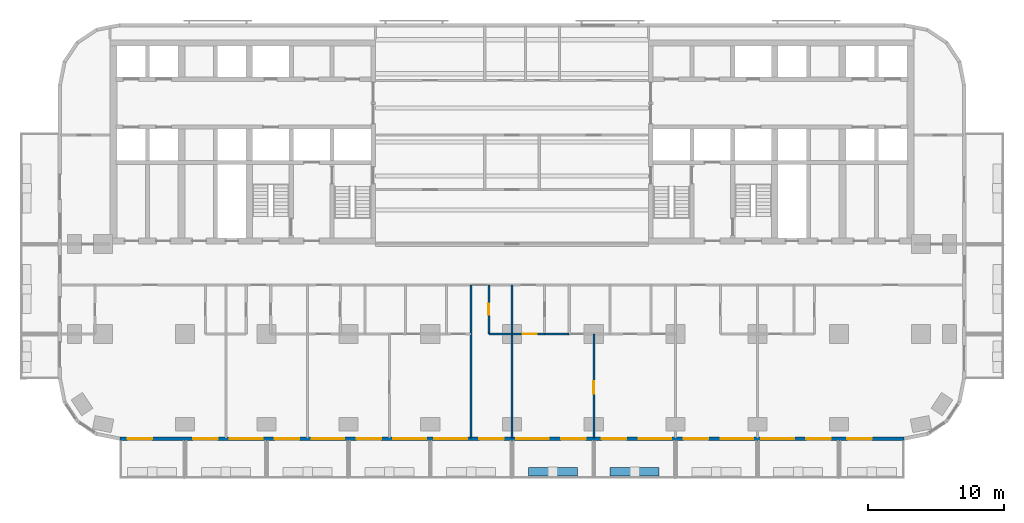
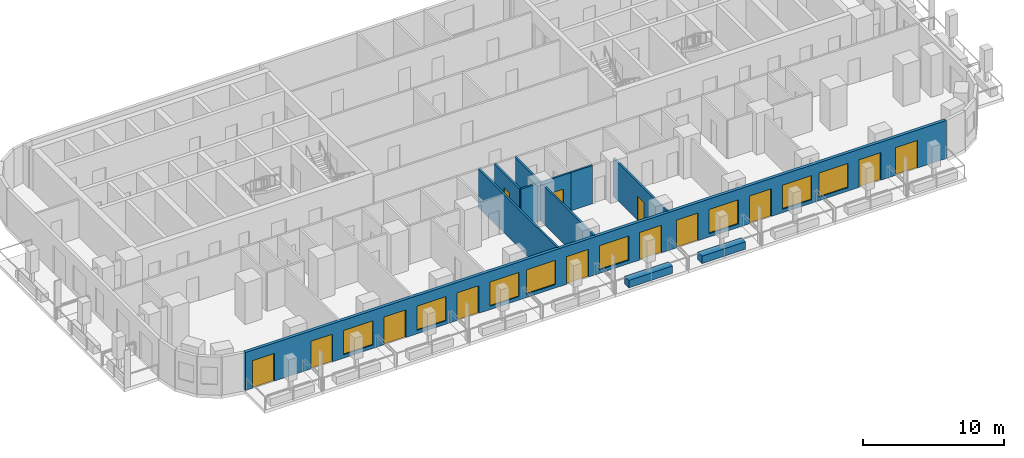
# One storey, part 5 of 14: 13 doors, 11 walls, 8 windows, 21 openings.
"""IFC4 building model written with IfcOpenShell, lengths in metres."""

import ifcopenshell
import ifcopenshell.guid

model = None  # the IFC model being written
_history = None  # IfcOwnerHistory: only IFC2X3 demands one
_inside = {}  # id of a spatial element -> (the spatial element, [elements in it])
_under = {}  # id of a project, library or spatial element -> (it, [spatial elements below it])
_declared = {}  # id of a project -> (the project, [libraries it declares])
_typed = {}  # id of a type object -> (the type object, [elements of that type])
_made_of = {}  # id of a material, layer set ... -> (it, [elements and type objects made of it])


def new_model(schema):
    """Start an empty IFC model of exactly this schema.

    Asked for "IFC4X3", IfcOpenShell would pick the latest addendum, in which some entities
    have other attributes; the version numbers below select the first issue.
    IFC2X3 requires an IfcOwnerHistory on every rooted entity: one is made here for all.
    """
    global model, _history
    if schema == "IFC4X3":
        model = ifcopenshell.file(schema_version=(4, 3, 0, 0))
    else:
        model = ifcopenshell.file(schema=schema)
    _inside.clear()
    _under.clear()
    _declared.clear()
    _typed.clear()
    _made_of.clear()
    _history = None
    if model.schema == "IFC2X3":
        org = make("IfcOrganization", Name="unknown")
        user = make(
            "IfcPersonAndOrganization",
            ThePerson=make("IfcPerson", FamilyName="unknown"),
            TheOrganization=org,
        )
        app = make(
            "IfcApplication",
            ApplicationDeveloper=org,
            Version="unknown",
            ApplicationFullName="unknown",
            ApplicationIdentifier="unknown",
        )
        _history = make(
            "IfcOwnerHistory",
            OwningUser=user,
            OwningApplication=app,
            ChangeAction="ADDED",
            CreationDate=0,
        )
    return model


def make(cls, **values):
    """One entity of the class cls with the attributes given. An attribute that is None is left unset."""
    return model.create_entity(
        cls, **{name: value for name, value in values.items() if value is not None}
    )


def rooted(cls, **values):
    """An entity with a GlobalId (a new one), such as an element, a storey or a relation."""
    return make(cls, GlobalId=ifcopenshell.guid.new(), OwnerHistory=_history, **values)


def si_unit(unit_type, name, prefix=None):
    """IfcSIUnit, for example si_unit("LENGTHUNIT", "METRE", prefix="MILLI")."""
    return make("IfcSIUnit", UnitType=unit_type, Prefix=prefix, Name=name)


def assignment(units):
    """IfcUnitAssignment: the units of a project."""
    return None if units is None else make("IfcUnitAssignment", Units=units)


def point(xyz):
    """IfcCartesianPoint."""
    return None if xyz is None else make("IfcCartesianPoint", Coordinates=xyz)


def direction(xyz):
    """IfcDirection."""
    return None if xyz is None else make("IfcDirection", DirectionRatios=xyz)


def frame(location, z_axis=None, x_axis=None):
    """IfcAxis2Placement3D, a coordinate frame: its origin and axes. An axis left out is left unset."""
    return make(
        "IfcAxis2Placement3D",
        Location=point(location),
        Axis=direction(z_axis),
        RefDirection=direction(x_axis),
    )


def frame_2d(location, x_axis=None):
    """IfcAxis2Placement2D, a coordinate frame in the plane: its origin and x axis."""
    return make(
        "IfcAxis2Placement2D", Location=point(location), RefDirection=direction(x_axis)
    )


def origin():
    """The frame at (0, 0, 0) with its axes left unset."""
    return frame((0.0, 0.0, 0.0))


def place(relative_to, where):
    """IfcLocalPlacement: puts the frame where relative to a parent placement (None: the world)."""
    return make(
        "IfcLocalPlacement", PlacementRelTo=relative_to, RelativePlacement=where
    )


def context(
    kind, dimensions, precision=None, world=None, true_north=None, identifier=None
):
    """IfcGeometricRepresentationContext, for example the 3D "Model" context."""
    return make(
        "IfcGeometricRepresentationContext",
        ContextIdentifier=identifier,
        ContextType=kind,
        CoordinateSpaceDimension=dimensions,
        Precision=precision,
        WorldCoordinateSystem=world,
        TrueNorth=true_north,
    )


def subcontext(parent, identifier, kind, view, scale=None):
    """IfcGeometricRepresentationSubContext, for example "Body" below "Model"."""
    return make(
        "IfcGeometricRepresentationSubContext",
        ContextIdentifier=identifier,
        ContextType=kind,
        ParentContext=parent,
        TargetScale=scale,
        TargetView=view,
    )


def project(units=None, contexts=None):
    """IfcProject with its units and contexts."""
    return rooted(
        "IfcProject",
        Name="project",
        RepresentationContexts=contexts,
        UnitsInContext=assignment(units),
    )


def spatial(cls, under=None, at=None, **own):
    """A site, building, storey or space (cls), placed at a placement, below another one or the project."""
    s = rooted(cls, ObjectPlacement=at, **own)
    if under is not None:
        _under.setdefault(under.id(), (under, []))[1].append(s)
    return s


def profile(cls, at=None, kind="AREA", **sizes):
    """A parametric profile (cls). Its sizes go by their IFC names, for example OverallWidth=200.0."""
    return make(cls, ProfileType=kind, Position=at, **sizes)


def rectangle(**sizes):
    """IfcRectangleProfileDef."""
    return profile("IfcRectangleProfileDef", **sizes)


def extrude(swept, where, along, depth):
    """IfcExtrudedAreaSolid: the profile swept, set in the frame where, extruded along a direction by depth."""
    return make(
        "IfcExtrudedAreaSolid",
        SweptArea=swept,
        Position=where,
        ExtrudedDirection=direction(along),
        Depth=depth,
    )


def shape(context_of_items, identifier, shape_type, items):
    """IfcShapeRepresentation: the items that make up one representation, for example the "Body"."""
    return make(
        "IfcShapeRepresentation",
        ContextOfItems=context_of_items,
        RepresentationIdentifier=identifier,
        RepresentationType=shape_type,
        Items=items,
    )


def material(Name=None, Category=None):
    """IfcMaterial."""
    return make("IfcMaterial", Name=Name, Category=Category)


def layer(
    of_material, thickness, ventilated=None, Name=None, Category=None, Priority=None
):
    """IfcMaterialLayer: one layer of a wall or slab, of a material (None: an air gap)."""
    return make(
        "IfcMaterialLayer",
        Material=of_material,
        LayerThickness=thickness,
        IsVentilated=ventilated,
        Name=Name,
        Category=Category,
        Priority=Priority,
    )


def layer_set(layers, Name=None):
    """IfcMaterialLayerSet."""
    return make("IfcMaterialLayerSet", MaterialLayers=layers, LayerSetName=Name)


def made_of(thing, what):
    """Note that an element or type object is made of a material, layer set ...; save() writes the relation."""
    if what is not None:
        _made_of.setdefault(what.id(), (what, []))[1].append(thing)
    return thing


def type_object(cls, material=None, **own):
    """A type object (cls), such as IfcWallType, which elements share."""
    return made_of(rooted(cls, **own), material)


def element(
    cls,
    number,
    at=None,
    inside=None,
    cuts=None,
    type_object=None,
    material=None,
    context=None,
    identifier="Body",
    shape_type=None,
    held_by="IfcProductDefinitionShape",
    body=None,
    shapes=None,
    **own,
):
    """One element of the class cls, such as IfcWall. Its Tag is "e" and its number.

    at: its placement. inside: the storey or other place that contains it. cuts: it is an
    opening in that element (IfcRelVoidsElement). A single representation is given by context,
    identifier, shape_type and body (its items); several are given by shapes. held_by: the class
    of the entity that holds the representations. save() writes the other relations.
    """
    e = rooted(cls, Tag="e%d" % number, ObjectPlacement=at, **own)
    if body is not None:
        shapes = [shape(context, identifier, shape_type, body)]
    if shapes is not None:
        e.Representation = make(held_by, Representations=shapes)
    if inside is not None:
        _inside.setdefault(inside.id(), (inside, []))[1].append(e)
    if cuts is not None:
        rooted(
            "IfcRelVoidsElement", RelatingBuildingElement=cuts, RelatedOpeningElement=e
        )
    if type_object is not None:
        _typed.setdefault(type_object.id(), (type_object, []))[1].append(e)
    return made_of(e, material)


def fill(opening, filler):
    """IfcRelFillsElement: the door or window that sits in an opening."""
    return rooted(
        "IfcRelFillsElement",
        RelatingOpeningElement=opening,
        RelatedBuildingElement=filler,
    )


def aggregate(whole, parts):
    """IfcRelAggregates: a whole, such as a stair, and the parts it consists of."""
    return rooted("IfcRelAggregates", RelatingObject=whole, RelatedObjects=parts)


def save(model, path):
    """Write the relations noted so far, then the file.

    IfcRelAggregates (storeys below a building ...), IfcRelContainedInSpatialStructure (elements
    in a storey), IfcRelDefinesByType, IfcRelAssociatesMaterial and IfcRelDeclares: one each for
    every whole, place, type object, material and project.
    """
    for whole, parts in _under.values():
        aggregate(whole, parts)
    for where, things in _inside.values():
        rooted(
            "IfcRelContainedInSpatialStructure",
            RelatedElements=things,
            RelatingStructure=where,
        )
    for kind, things in _typed.values():
        rooted("IfcRelDefinesByType", RelatedObjects=things, RelatingType=kind)
    for what, things in _made_of.values():
        rooted("IfcRelAssociatesMaterial", RelatedObjects=things, RelatingMaterial=what)
    for by, libraries in _declared.values():
        rooted("IfcRelDeclares", RelatingContext=by, RelatedDefinitions=libraries)
    model.write(path)


model = new_model("IFC4")

# Units and contexts
model_context = context("Model", 3, precision=1e-05, world=origin(), true_north=direction((0.0, 1.0)))
body_context = subcontext(model_context, "Body", "Model", "MODEL_VIEW")
ifc_project = project(units=[si_unit("LENGTHUNIT", "METRE"), si_unit("AREAUNIT", "SQUARE_METRE"), si_unit("VOLUMEUNIT", "CUBIC_METRE"), si_unit("PLANEANGLEUNIT", "RADIAN"), si_unit("MASSUNIT", "GRAM", prefix="KILO")], contexts=[model_context])

# Site, building, storey
site_placement = place(None, origin())
site = spatial("IfcSite", under=ifc_project, at=site_placement, CompositionType="ELEMENT")
building_placement = place(site_placement, origin())
building = spatial("IfcBuilding", under=site, at=building_placement, Name="Torana Hotel and Residences", CompositionType="ELEMENT")
storey_placement = place(building_placement, frame((0.0, 0.0, 103.199951171875)))
storey = spatial("IfcBuildingStorey", under=building, at=storey_placement, Name="L26", CompositionType="ELEMENT", Elevation=103.199951171875)

# Wall, openings, doors, windows
ifc_material_1 = material(Name="Black aluminium composite panel", Category="aluminium")
ifc_layer_1 = layer(ifc_material_1, 0.00390625, Name="Cladding", Category="cladding")
ifc_material_2 = material(Name="Ventilated air cavity")
ifc_layer_2 = layer(ifc_material_2, 0.0400390625, Name="Ventilated cavity", Category="cavity")
ifc_material_3 = material(Name="Mineral wool insulation")
ifc_layer_3 = layer(ifc_material_3, 0.090087890625, Name="Insulation", Category="insulation")
ifc_material_4 = material(Name="Steel S280GD", Category="steel")
ifc_layer_4 = layer(ifc_material_4, 0.092041015625, Name="Steel stud frame", Category="structure")
ifc_material_5 = material(Name="Fire rated plasterboard")
ifc_layer_5 = layer(ifc_material_5, 0.011962890625, Name="Inner board", Category="finish")
ifc_layer_6 = layer(ifc_material_5, 0.011962890625, Name="Second board", Category="finish")
ifc_layer_set_1 = layer_set([ifc_layer_1, ifc_layer_2, ifc_layer_3, ifc_layer_4, ifc_layer_5, ifc_layer_6], Name="EW1 EXTERNAL WALL BLACK METAL CLAD 250")
wall_type_1 = type_object("IfcWallType", Name="EW1 EXTERNAL WALL BLACK METAL CLAD 250", PredefinedType="SOLIDWALL", material=ifc_layer_set_1)
wall_1_placement = place(storey_placement, frame((-28.775390625, -29.27490234375, 0.0), z_axis=(0.0, 0.0, 1.0), x_axis=(1.0, 0.0, 0.0)))
wall_1 = element("IfcWall", 1, at=wall_1_placement, inside=storey, type_object=wall_type_1, Name="External wall L26 e0.14", PredefinedType="SOLIDWALL", context=body_context, shape_type="SweptSolid", body=[
    extrude(rectangle(XDim=57.55078125, YDim=0.25, at=frame_2d((28.775390625, 0.0))), origin(), (0.0, 0.0, 1.0), 3.300048828125),
])
opening_1_placement = place(wall_1_placement, frame((0.575439453125, 0.0, 0.0)))
opening_1 = element("IfcOpeningElement", 2, at=opening_1_placement, cuts=wall_1, Name="Opening L26-E01", PredefinedType="OPENING", context=body_context, shape_type="SweptSolid", body=[
    extrude(rectangle(XDim=1.800048828125, YDim=2.39990234375, at=frame_2d((0.89990234375, 1.199951171875))), frame((0.0, 0.135009765625, 0.0), z_axis=(0.0, -1.0, 0.0), x_axis=(1.0, 0.0, 0.0)), (0.0, 0.0, 1.0), 0.27001953125),
])
opening_2_placement = place(wall_1_placement, frame((5.37548828125, 0.0, 0.0)))
opening_2 = element("IfcOpeningElement", 3, at=opening_2_placement, cuts=wall_1, Name="Opening L26-E02", PredefinedType="OPENING", context=body_context, shape_type="SweptSolid", body=[
    extrude(rectangle(XDim=1.800048828125, YDim=2.39990234375, at=frame_2d((0.89990234375, 1.199951171875))), frame((0.0, 0.135009765625, 0.0), z_axis=(0.0, -1.0, 0.0), x_axis=(1.0, 0.0, 0.0)), (0.0, 0.0, 1.0), 0.27001953125),
])
opening_3_placement = place(wall_1_placement, frame((8.075439453125, 0.0, 0.300048828125)))
opening_3 = element("IfcOpeningElement", 4, at=opening_3_placement, cuts=wall_1, Name="Opening W1", PredefinedType="OPENING", context=body_context, shape_type="SweptSolid", body=[
    extrude(rectangle(XDim=2.39990234375, YDim=2.10009765625, at=frame_2d((1.199951171875, 1.050048828125))), frame((0.0, 0.135009765625, 0.0), z_axis=(0.0, -1.0, 0.0), x_axis=(1.0, 0.0, 0.0)), (0.0, 0.0, 1.0), 0.27001953125),
])
opening_4_placement = place(wall_1_placement, frame((11.37548828125, 0.0, 0.0)))
opening_4 = element("IfcOpeningElement", 5, at=opening_4_placement, cuts=wall_1, Name="Opening L26-E03", PredefinedType="OPENING", context=body_context, shape_type="SweptSolid", body=[
    extrude(rectangle(XDim=1.800048828125, YDim=2.39990234375, at=frame_2d((0.89990234375, 1.199951171875))), frame((0.0, 0.135009765625, 0.0), z_axis=(0.0, -1.0, 0.0), x_axis=(1.0, 0.0, 0.0)), (0.0, 0.0, 1.0), 0.27001953125),
])
opening_5_placement = place(wall_1_placement, frame((14.075439453125, 0.0, 0.300048828125)))
opening_5 = element("IfcOpeningElement", 6, at=opening_5_placement, cuts=wall_1, Name="Opening W1", PredefinedType="OPENING", context=body_context, shape_type="SweptSolid", body=[
    extrude(rectangle(XDim=2.39990234375, YDim=2.10009765625, at=frame_2d((1.199951171875, 1.050048828125))), frame((0.0, 0.135009765625, 0.0), z_axis=(0.0, -1.0, 0.0), x_axis=(1.0, 0.0, 0.0)), (0.0, 0.0, 1.0), 0.27001953125),
])
opening_6_placement = place(wall_1_placement, frame((17.37548828125, 0.0, 0.0)))
opening_6 = element("IfcOpeningElement", 7, at=opening_6_placement, cuts=wall_1, Name="Opening L26-E04", PredefinedType="OPENING", context=body_context, shape_type="SweptSolid", body=[
    extrude(rectangle(XDim=1.800048828125, YDim=2.39990234375, at=frame_2d((0.89990234375, 1.199951171875))), frame((0.0, 0.135009765625, 0.0), z_axis=(0.0, -1.0, 0.0), x_axis=(1.0, 0.0, 0.0)), (0.0, 0.0, 1.0), 0.27001953125),
])
opening_7_placement = place(wall_1_placement, frame((20.075439453125, 0.0, 0.300048828125)))
opening_7 = element("IfcOpeningElement", 8, at=opening_7_placement, cuts=wall_1, Name="Opening W1", PredefinedType="OPENING", context=body_context, shape_type="SweptSolid", body=[
    extrude(rectangle(XDim=2.39990234375, YDim=2.10009765625, at=frame_2d((1.199951171875, 1.050048828125))), frame((0.0, 0.135009765625, 0.0), z_axis=(0.0, -1.0, 0.0), x_axis=(1.0, 0.0, 0.0)), (0.0, 0.0, 1.0), 0.27001953125),
])
opening_8_placement = place(wall_1_placement, frame((23.075439453125, 0.0, 0.300048828125)))
opening_8 = element("IfcOpeningElement", 9, at=opening_8_placement, cuts=wall_1, Name="Opening W1", PredefinedType="OPENING", context=body_context, shape_type="SweptSolid", body=[
    extrude(rectangle(XDim=2.39990234375, YDim=2.10009765625, at=frame_2d((1.199951171875, 1.050048828125))), frame((0.0, 0.135009765625, 0.0), z_axis=(0.0, -1.0, 0.0), x_axis=(1.0, 0.0, 0.0)), (0.0, 0.0, 1.0), 0.27001953125),
])
opening_9_placement = place(wall_1_placement, frame((26.37548828125, 0.0, 0.0)))
opening_9 = element("IfcOpeningElement", 10, at=opening_9_placement, cuts=wall_1, Name="Opening L26-E05", PredefinedType="OPENING", context=body_context, shape_type="SweptSolid", body=[
    extrude(rectangle(XDim=1.800048828125, YDim=2.39990234375, at=frame_2d((0.89990234375, 1.199951171875))), frame((0.0, 0.135009765625, 0.0), z_axis=(0.0, -1.0, 0.0), x_axis=(1.0, 0.0, 0.0)), (0.0, 0.0, 1.0), 0.27001953125),
])
opening_10_placement = place(wall_1_placement, frame((29.075439453125, 0.0, 0.300048828125)))
opening_10 = element("IfcOpeningElement", 11, at=opening_10_placement, cuts=wall_1, Name="Opening W1", PredefinedType="OPENING", context=body_context, shape_type="SweptSolid", body=[
    extrude(rectangle(XDim=2.39990234375, YDim=2.10009765625, at=frame_2d((1.199951171875, 1.050048828125))), frame((0.0, 0.135009765625, 0.0), z_axis=(0.0, -1.0, 0.0), x_axis=(1.0, 0.0, 0.0)), (0.0, 0.0, 1.0), 0.27001953125),
])
opening_11_placement = place(wall_1_placement, frame((32.37548828125, 0.0, 0.0)))
opening_11 = element("IfcOpeningElement", 12, at=opening_11_placement, cuts=wall_1, Name="Opening L26-E06", PredefinedType="OPENING", context=body_context, shape_type="SweptSolid", body=[
    extrude(rectangle(XDim=1.800048828125, YDim=2.39990234375, at=frame_2d((0.89990234375, 1.199951171875))), frame((0.0, 0.135009765625, 0.0), z_axis=(0.0, -1.0, 0.0), x_axis=(1.0, 0.0, 0.0)), (0.0, 0.0, 1.0), 0.27001953125),
])
opening_12_placement = place(wall_1_placement, frame((35.37548828125, 0.0, 0.0)))
opening_12 = element("IfcOpeningElement", 13, at=opening_12_placement, cuts=wall_1, Name="Opening L26-E07", PredefinedType="OPENING", context=body_context, shape_type="SweptSolid", body=[
    extrude(rectangle(XDim=1.800048828125, YDim=2.39990234375, at=frame_2d((0.89990234375, 1.199951171875))), frame((0.0, 0.135009765625, 0.0), z_axis=(0.0, -1.0, 0.0), x_axis=(1.0, 0.0, 0.0)), (0.0, 0.0, 1.0), 0.27001953125),
])
opening_13_placement = place(wall_1_placement, frame((38.075439453125, 0.0, 0.300048828125)))
opening_13 = element("IfcOpeningElement", 14, at=opening_13_placement, cuts=wall_1, Name="Opening W1", PredefinedType="OPENING", context=body_context, shape_type="SweptSolid", body=[
    extrude(rectangle(XDim=2.39990234375, YDim=2.10009765625, at=frame_2d((1.199951171875, 1.050048828125))), frame((0.0, 0.135009765625, 0.0), z_axis=(0.0, -1.0, 0.0), x_axis=(1.0, 0.0, 0.0)), (0.0, 0.0, 1.0), 0.27001953125),
])
opening_14_placement = place(wall_1_placement, frame((41.37548828125, 0.0, 0.0)))
opening_14 = element("IfcOpeningElement", 15, at=opening_14_placement, cuts=wall_1, Name="Opening L26-E08", PredefinedType="OPENING", context=body_context, shape_type="SweptSolid", body=[
    extrude(rectangle(XDim=1.800048828125, YDim=2.39990234375, at=frame_2d((0.89990234375, 1.199951171875))), frame((0.0, 0.135009765625, 0.0), z_axis=(0.0, -1.0, 0.0), x_axis=(1.0, 0.0, 0.0)), (0.0, 0.0, 1.0), 0.27001953125),
])
opening_15_placement = place(wall_1_placement, frame((44.075439453125, 0.0, 0.300048828125)))
opening_15 = element("IfcOpeningElement", 16, at=opening_15_placement, cuts=wall_1, Name="Opening W1", PredefinedType="OPENING", context=body_context, shape_type="SweptSolid", body=[
    extrude(rectangle(XDim=2.39990234375, YDim=2.10009765625, at=frame_2d((1.199951171875, 1.050048828125))), frame((0.0, 0.135009765625, 0.0), z_axis=(0.0, -1.0, 0.0), x_axis=(1.0, 0.0, 0.0)), (0.0, 0.0, 1.0), 0.27001953125),
])
opening_16_placement = place(wall_1_placement, frame((47.075439453125, 0.0, 0.300048828125)))
opening_16 = element("IfcOpeningElement", 17, at=opening_16_placement, cuts=wall_1, Name="Opening W1", PredefinedType="OPENING", context=body_context, shape_type="SweptSolid", body=[
    extrude(rectangle(XDim=2.39990234375, YDim=2.10009765625, at=frame_2d((1.199951171875, 1.050048828125))), frame((0.0, 0.135009765625, 0.0), z_axis=(0.0, -1.0, 0.0), x_axis=(1.0, 0.0, 0.0)), (0.0, 0.0, 1.0), 0.27001953125),
])
opening_17_placement = place(wall_1_placement, frame((50.37548828125, 0.0, 0.0)))
opening_17 = element("IfcOpeningElement", 18, at=opening_17_placement, cuts=wall_1, Name="Opening L26-E09", PredefinedType="OPENING", context=body_context, shape_type="SweptSolid", body=[
    extrude(rectangle(XDim=1.800048828125, YDim=2.39990234375, at=frame_2d((0.89990234375, 1.199951171875))), frame((0.0, 0.135009765625, 0.0), z_axis=(0.0, -1.0, 0.0), x_axis=(1.0, 0.0, 0.0)), (0.0, 0.0, 1.0), 0.27001953125),
])
opening_18_placement = place(wall_1_placement, frame((53.37548828125, 0.0, 0.0)))
opening_18 = element("IfcOpeningElement", 19, at=opening_18_placement, cuts=wall_1, Name="Opening L26-E10", PredefinedType="OPENING", context=body_context, shape_type="SweptSolid", body=[
    extrude(rectangle(XDim=1.800048828125, YDim=2.39990234375, at=frame_2d((0.89990234375, 1.199951171875))), frame((0.0, 0.135009765625, 0.0), z_axis=(0.0, -1.0, 0.0), x_axis=(1.0, 0.0, 0.0)), (0.0, 0.0, 1.0), 0.27001953125),
])
ifc_material_6 = material(Name="Dark glass in black aluminium frame", Category="aluminium")
door_type_1 = type_object("IfcDoorType", Name="DB1 BALCONY DOOR 1800x2400", OperationType="DOUBLE_DOOR_SINGLE_SWING", PredefinedType="DOOR", material=ifc_material_6)
door_1_placement = place(opening_1_placement, origin())
door_1 = element("IfcDoor", 20, at=door_1_placement, inside=storey, type_object=door_type_1, Name="Balcony door L26", OperationType="DOUBLE_DOOR_SINGLE_SWING", OverallHeight=2.39990234375, OverallWidth=1.800048828125, PredefinedType="DOOR", context=body_context, shape_type="SweptSolid", body=[
    extrude(rectangle(XDim=1.800048828125, YDim=2.39990234375, at=frame_2d((0.89990234375, 1.199951171875))), frame((0.0, 0.02490234375, 0.0), z_axis=(0.0, -1.0, 0.0), x_axis=(1.0, 0.0, 0.0)), (0.0, 0.0, 1.0), 0.050048828125),
])
fill(opening_1, door_1)
door_2_placement = place(opening_2_placement, frame((0.89990234375, 0.0, 0.0), z_axis=(0.0, 0.0, 1.0), x_axis=(-1.0, 0.0, 0.0)))
door_2 = element("IfcDoor", 21, at=door_2_placement, inside=storey, type_object=door_type_1, Name="Balcony door L26", OperationType="DOUBLE_DOOR_SINGLE_SWING", OverallHeight=2.39990234375, OverallWidth=1.800048828125, PredefinedType="DOOR", context=body_context, shape_type="SweptSolid", body=[
    extrude(rectangle(XDim=1.800048828125, YDim=2.39990234375, at=frame_2d((0.0, 1.199951171875))), frame((0.0, -0.02490234375, 0.0), z_axis=(0.0, 1.0, 0.0), x_axis=(-1.0, 0.0, 0.0)), (0.0, 0.0, 1.0), 0.050048828125),
])
fill(opening_2, door_2)
door_3_placement = place(opening_4_placement, frame((0.89990234375, 0.0, 0.0), z_axis=(0.0, 0.0, 1.0), x_axis=(-1.0, 0.0, 0.0)))
door_3 = element("IfcDoor", 22, at=door_3_placement, inside=storey, type_object=door_type_1, Name="Balcony door L26", OperationType="DOUBLE_DOOR_SINGLE_SWING", OverallHeight=2.39990234375, OverallWidth=1.800048828125, PredefinedType="DOOR", context=body_context, shape_type="SweptSolid", body=[
    extrude(rectangle(XDim=1.800048828125, YDim=2.39990234375, at=frame_2d((0.0, 1.199951171875))), frame((0.0, -0.02490234375, 0.0), z_axis=(0.0, 1.0, 0.0), x_axis=(-1.0, 0.0, 0.0)), (0.0, 0.0, 1.0), 0.050048828125),
])
fill(opening_4, door_3)
door_4_placement = place(opening_6_placement, frame((0.89990234375, 0.0, 0.0), z_axis=(0.0, 0.0, 1.0), x_axis=(-1.0, 0.0, 0.0)))
door_4 = element("IfcDoor", 23, at=door_4_placement, inside=storey, type_object=door_type_1, Name="Balcony door L26", OperationType="DOUBLE_DOOR_SINGLE_SWING", OverallHeight=2.39990234375, OverallWidth=1.800048828125, PredefinedType="DOOR", context=body_context, shape_type="SweptSolid", body=[
    extrude(rectangle(XDim=1.800048828125, YDim=2.39990234375, at=frame_2d((0.0, 1.199951171875))), frame((0.0, -0.02490234375, 0.0), z_axis=(0.0, 1.0, 0.0), x_axis=(-1.0, 0.0, 0.0)), (0.0, 0.0, 1.0), 0.050048828125),
])
fill(opening_6, door_4)
door_5_placement = place(opening_9_placement, frame((0.89990234375, 0.0, 0.0), z_axis=(0.0, 0.0, 1.0), x_axis=(-1.0, 0.0, 0.0)))
door_5 = element("IfcDoor", 24, at=door_5_placement, inside=storey, type_object=door_type_1, Name="Balcony door L26", OperationType="DOUBLE_DOOR_SINGLE_SWING", OverallHeight=2.39990234375, OverallWidth=1.800048828125, PredefinedType="DOOR", context=body_context, shape_type="SweptSolid", body=[
    extrude(rectangle(XDim=1.800048828125, YDim=2.39990234375, at=frame_2d((0.0, 1.199951171875))), frame((0.0, -0.02490234375, 0.0), z_axis=(0.0, 1.0, 0.0), x_axis=(-1.0, 0.0, 0.0)), (0.0, 0.0, 1.0), 0.050048828125),
])
fill(opening_9, door_5)
door_6_placement = place(opening_11_placement, frame((0.89990234375, 0.0, 0.0), z_axis=(0.0, 0.0, 1.0), x_axis=(-1.0, 0.0, 0.0)))
door_6 = element("IfcDoor", 25, at=door_6_placement, inside=storey, type_object=door_type_1, Name="Balcony door L26", OperationType="DOUBLE_DOOR_SINGLE_SWING", OverallHeight=2.39990234375, OverallWidth=1.800048828125, PredefinedType="DOOR", context=body_context, shape_type="SweptSolid", body=[
    extrude(rectangle(XDim=1.800048828125, YDim=2.39990234375, at=frame_2d((0.0, 1.199951171875))), frame((0.0, -0.02490234375, 0.0), z_axis=(0.0, 1.0, 0.0), x_axis=(-1.0, 0.0, 0.0)), (0.0, 0.0, 1.0), 0.050048828125),
])
fill(opening_11, door_6)
door_7_placement = place(opening_12_placement, frame((0.89990234375, 0.0, 0.0), z_axis=(0.0, 0.0, 1.0), x_axis=(-1.0, 0.0, 0.0)))
door_7 = element("IfcDoor", 26, at=door_7_placement, inside=storey, type_object=door_type_1, Name="Balcony door L26", OperationType="DOUBLE_DOOR_SINGLE_SWING", OverallHeight=2.39990234375, OverallWidth=1.800048828125, PredefinedType="DOOR", context=body_context, shape_type="SweptSolid", body=[
    extrude(rectangle(XDim=1.800048828125, YDim=2.39990234375, at=frame_2d((0.0, 1.199951171875))), frame((0.0, -0.02490234375, 0.0), z_axis=(0.0, 1.0, 0.0), x_axis=(-1.0, 0.0, 0.0)), (0.0, 0.0, 1.0), 0.050048828125),
])
fill(opening_12, door_7)
door_8_placement = place(opening_14_placement, frame((0.89990234375, 0.0, 0.0), z_axis=(0.0, 0.0, 1.0), x_axis=(-1.0, 0.0, 0.0)))
door_8 = element("IfcDoor", 27, at=door_8_placement, inside=storey, type_object=door_type_1, Name="Balcony door L26", OperationType="DOUBLE_DOOR_SINGLE_SWING", OverallHeight=2.39990234375, OverallWidth=1.800048828125, PredefinedType="DOOR", context=body_context, shape_type="SweptSolid", body=[
    extrude(rectangle(XDim=1.800048828125, YDim=2.39990234375, at=frame_2d((0.0, 1.199951171875))), frame((0.0, -0.02490234375, 0.0), z_axis=(0.0, 1.0, 0.0), x_axis=(-1.0, 0.0, 0.0)), (0.0, 0.0, 1.0), 0.050048828125),
])
fill(opening_14, door_8)
door_9_placement = place(opening_17_placement, frame((0.89990234375, 0.0, 0.0), z_axis=(0.0, 0.0, 1.0), x_axis=(-1.0, 0.0, 0.0)))
door_9 = element("IfcDoor", 28, at=door_9_placement, inside=storey, type_object=door_type_1, Name="Balcony door L26", OperationType="DOUBLE_DOOR_SINGLE_SWING", OverallHeight=2.39990234375, OverallWidth=1.800048828125, PredefinedType="DOOR", context=body_context, shape_type="SweptSolid", body=[
    extrude(rectangle(XDim=1.800048828125, YDim=2.39990234375, at=frame_2d((0.0, 1.199951171875))), frame((0.0, -0.02490234375, 0.0), z_axis=(0.0, 1.0, 0.0), x_axis=(-1.0, 0.0, 0.0)), (0.0, 0.0, 1.0), 0.050048828125),
])
fill(opening_17, door_9)
door_10_placement = place(opening_18_placement, frame((0.89990234375, 0.0, 0.0), z_axis=(0.0, 0.0, 1.0), x_axis=(-1.0, 0.0, 0.0)))
door_10 = element("IfcDoor", 29, at=door_10_placement, inside=storey, type_object=door_type_1, Name="Balcony door L26", OperationType="DOUBLE_DOOR_SINGLE_SWING", OverallHeight=2.39990234375, OverallWidth=1.800048828125, PredefinedType="DOOR", context=body_context, shape_type="SweptSolid", body=[
    extrude(rectangle(XDim=1.800048828125, YDim=2.39990234375, at=frame_2d((0.0, 1.199951171875))), frame((0.0, -0.02490234375, 0.0), z_axis=(0.0, 1.0, 0.0), x_axis=(-1.0, 0.0, 0.0)), (0.0, 0.0, 1.0), 0.050048828125),
])
fill(opening_18, door_10)
ifc_material_7 = material(Name="Dark glass in black aluminium frame", Category="aluminium")
window_type = type_object("IfcWindowType", Name="W1 HOTEL ROOM WINDOW 2400x2100", PartitioningType="SINGLE_PANEL", PredefinedType="WINDOW", material=ifc_material_7)
window_1_placement = place(opening_3_placement, origin())
window_1 = element("IfcWindow", 30, at=window_1_placement, inside=storey, type_object=window_type, Name="Window L26", OverallHeight=2.10009765625, OverallWidth=2.39990234375, PartitioningType="SINGLE_PANEL", PredefinedType="WINDOW", context=body_context, shape_type="SweptSolid", body=[
    extrude(rectangle(XDim=2.39990234375, YDim=2.10009765625, at=frame_2d((1.199951171875, 1.050048828125))), frame((0.0, 0.030029296875, 0.0), z_axis=(0.0, -1.0, 0.0), x_axis=(1.0, 0.0, 0.0)), (0.0, 0.0, 1.0), 0.06005859375),
])
fill(opening_3, window_1)
window_2_placement = place(opening_5_placement, origin())
window_2 = element("IfcWindow", 31, at=window_2_placement, inside=storey, type_object=window_type, Name="Window L26", OverallHeight=2.10009765625, OverallWidth=2.39990234375, PartitioningType="SINGLE_PANEL", PredefinedType="WINDOW", context=body_context, shape_type="SweptSolid", body=[
    extrude(rectangle(XDim=2.39990234375, YDim=2.10009765625, at=frame_2d((1.199951171875, 1.050048828125))), frame((0.0, 0.030029296875, 0.0), z_axis=(0.0, -1.0, 0.0), x_axis=(1.0, 0.0, 0.0)), (0.0, 0.0, 1.0), 0.06005859375),
])
fill(opening_5, window_2)
window_3_placement = place(opening_7_placement, origin())
window_3 = element("IfcWindow", 32, at=window_3_placement, inside=storey, type_object=window_type, Name="Window L26", OverallHeight=2.10009765625, OverallWidth=2.39990234375, PartitioningType="SINGLE_PANEL", PredefinedType="WINDOW", context=body_context, shape_type="SweptSolid", body=[
    extrude(rectangle(XDim=2.39990234375, YDim=2.10009765625, at=frame_2d((1.199951171875, 1.050048828125))), frame((0.0, 0.030029296875, 0.0), z_axis=(0.0, -1.0, 0.0), x_axis=(1.0, 0.0, 0.0)), (0.0, 0.0, 1.0), 0.06005859375),
])
fill(opening_7, window_3)
window_4_placement = place(opening_8_placement, origin())
window_4 = element("IfcWindow", 33, at=window_4_placement, inside=storey, type_object=window_type, Name="Window L26", OverallHeight=2.10009765625, OverallWidth=2.39990234375, PartitioningType="SINGLE_PANEL", PredefinedType="WINDOW", context=body_context, shape_type="SweptSolid", body=[
    extrude(rectangle(XDim=2.39990234375, YDim=2.10009765625, at=frame_2d((1.199951171875, 1.050048828125))), frame((0.0, 0.030029296875, 0.0), z_axis=(0.0, -1.0, 0.0), x_axis=(1.0, 0.0, 0.0)), (0.0, 0.0, 1.0), 0.06005859375),
])
fill(opening_8, window_4)
window_5_placement = place(opening_10_placement, origin())
window_5 = element("IfcWindow", 34, at=window_5_placement, inside=storey, type_object=window_type, Name="Window L26", OverallHeight=2.10009765625, OverallWidth=2.39990234375, PartitioningType="SINGLE_PANEL", PredefinedType="WINDOW", context=body_context, shape_type="SweptSolid", body=[
    extrude(rectangle(XDim=2.39990234375, YDim=2.10009765625, at=frame_2d((1.199951171875, 1.050048828125))), frame((0.0, 0.030029296875, 0.0), z_axis=(0.0, -1.0, 0.0), x_axis=(1.0, 0.0, 0.0)), (0.0, 0.0, 1.0), 0.06005859375),
])
fill(opening_10, window_5)
window_6_placement = place(opening_13_placement, origin())
window_6 = element("IfcWindow", 35, at=window_6_placement, inside=storey, type_object=window_type, Name="Window L26", OverallHeight=2.10009765625, OverallWidth=2.39990234375, PartitioningType="SINGLE_PANEL", PredefinedType="WINDOW", context=body_context, shape_type="SweptSolid", body=[
    extrude(rectangle(XDim=2.39990234375, YDim=2.10009765625, at=frame_2d((1.199951171875, 1.050048828125))), frame((0.0, 0.030029296875, 0.0), z_axis=(0.0, -1.0, 0.0), x_axis=(1.0, 0.0, 0.0)), (0.0, 0.0, 1.0), 0.06005859375),
])
fill(opening_13, window_6)
window_7_placement = place(opening_15_placement, origin())
window_7 = element("IfcWindow", 36, at=window_7_placement, inside=storey, type_object=window_type, Name="Window L26", OverallHeight=2.10009765625, OverallWidth=2.39990234375, PartitioningType="SINGLE_PANEL", PredefinedType="WINDOW", context=body_context, shape_type="SweptSolid", body=[
    extrude(rectangle(XDim=2.39990234375, YDim=2.10009765625, at=frame_2d((1.199951171875, 1.050048828125))), frame((0.0, 0.030029296875, 0.0), z_axis=(0.0, -1.0, 0.0), x_axis=(1.0, 0.0, 0.0)), (0.0, 0.0, 1.0), 0.06005859375),
])
fill(opening_15, window_7)
window_8_placement = place(opening_16_placement, origin())
window_8 = element("IfcWindow", 37, at=window_8_placement, inside=storey, type_object=window_type, Name="Window L26", OverallHeight=2.10009765625, OverallWidth=2.39990234375, PartitioningType="SINGLE_PANEL", PredefinedType="WINDOW", context=body_context, shape_type="SweptSolid", body=[
    extrude(rectangle(XDim=2.39990234375, YDim=2.10009765625, at=frame_2d((1.199951171875, 1.050048828125))), frame((0.0, 0.030029296875, 0.0), z_axis=(0.0, -1.0, 0.0), x_axis=(1.0, 0.0, 0.0)), (0.0, 0.0, 1.0), 0.06005859375),
])
fill(opening_16, window_8)

# Wall
ifc_material_8 = material(Name="Gypsum plaster")
ifc_layer_7 = layer(ifc_material_8, 0.014892578125, Name="Plaster", Category="finish")
ifc_material_9 = material(Name="Concrete blockwork", Category="masonry")
ifc_layer_8 = layer(ifc_material_9, 0.1201171875, Name="Blockwork", Category="structure")
ifc_layer_9 = layer(ifc_material_8, 0.014892578125, Name="Plaster", Category="finish")
ifc_layer_set_2 = layer_set([ifc_layer_7, ifc_layer_8, ifc_layer_9], Name="FIRE PARTITION 150 BLOCKWORK")
wall_type_2 = type_object("IfcWallType", Name="FIRE PARTITION 150 BLOCKWORK", PredefinedType="PARTITIONING", material=ifc_layer_set_2)
wall_2_placement = place(storey_placement, frame((0.0, -21.60009765625, 0.0), z_axis=(0.0, 0.0, 1.0), x_axis=(0.0, 1.0, 0.0)))
element("IfcWall", 38, at=wall_2_placement, inside=storey, type_object=wall_type_2, Name="Partition L26", PredefinedType="PARTITIONING", context=body_context, shape_type="SweptSolid", body=[
    extrude(rectangle(XDim=3.60009765625, YDim=0.14990234375, at=frame_2d((1.800048828125, 0.0))), origin(), (0.0, 0.0, 1.0), 3.320068359375),
])

# Wall, opening, door
wall_3_placement = place(storey_placement, frame((0.0, -21.60009765625, 0.0), z_axis=(0.0, 0.0, 1.0), x_axis=(1.0, 0.0, 0.0)))
wall_3 = element("IfcWall", 39, at=wall_3_placement, inside=storey, type_object=wall_type_2, Name="Partition L26", PredefinedType="PARTITIONING", context=body_context, shape_type="SweptSolid", body=[
    extrude(rectangle(XDim=2.39990234375, YDim=0.14990234375, at=frame_2d((1.199951171875, 0.0))), origin(), (0.0, 0.0, 1.0), 3.320068359375),
])
opening_19_placement = place(wall_3_placement, frame((0.800048828125, 0.0, 0.0)))
opening_19 = element("IfcOpeningElement", 40, at=opening_19_placement, cuts=wall_3, Name="Opening L26-57", PredefinedType="OPENING", context=body_context, shape_type="SweptSolid", body=[
    extrude(rectangle(XDim=1.0, YDim=2.10009765625, at=frame_2d((0.5, 1.050048828125))), frame((0.0, 0.0849609375, 0.0), z_axis=(0.0, -1.0, 0.0), x_axis=(1.0, 0.0, 0.0)), (0.0, 0.0, 1.0), 0.169921875),
])
ifc_material_10 = material(Name="Steel S235", Category="steel")
door_type_2 = type_object("IfcDoorType", Name="ENTRY FIRE DOOR D6 1000x2100", OperationType="SINGLE_SWING_LEFT", PredefinedType="DOOR", material=ifc_material_10)
door_11_placement = place(opening_19_placement, frame((0.5, 0.0, 0.0), z_axis=(0.0, 0.0, 1.0), x_axis=(-1.0, 0.0, 0.0)))
door_11 = element("IfcDoor", 41, at=door_11_placement, inside=storey, type_object=door_type_2, Name="Door L26", OperationType="SINGLE_SWING_LEFT", OverallHeight=2.10009765625, OverallWidth=1.0, PredefinedType="DOOR", context=body_context, shape_type="SweptSolid", body=[
    extrude(rectangle(XDim=1.0, YDim=2.10009765625, at=frame_2d((0.0, 1.050048828125))), frame((0.0, -0.02490234375, 0.0), z_axis=(0.0, 1.0, 0.0), x_axis=(-1.0, 0.0, 0.0)), (0.0, 0.0, 1.0), 0.050048828125),
])
fill(opening_19, door_11)

ifc_material_11 = material(Name="Gypsum plasterboard")
ifc_layer_10 = layer(ifc_material_11, 0.012451171875, Name="Plasterboard", Category="finish")
ifc_layer_11 = layer(ifc_material_11, 0.012451171875, Name="Plasterboard", Category="finish")
ifc_layer_12 = layer(ifc_material_4, 0.10009765625, Name="Steel studs with mineral wool", Category="insulation")
ifc_layer_13 = layer(ifc_material_11, 0.012451171875, Name="Plasterboard", Category="finish")
ifc_layer_14 = layer(ifc_material_11, 0.012451171875, Name="Plasterboard", Category="finish")
ifc_layer_set_3 = layer_set([ifc_layer_10, ifc_layer_11, ifc_layer_12, ifc_layer_13, ifc_layer_14], Name="PARTITION 150 PLASTERBOARD")
wall_type_3 = type_object("IfcWallType", Name="PARTITION 150 PLASTERBOARD", PredefinedType="PARTITIONING", material=ifc_layer_set_3)
wall_4_placement = place(storey_placement, frame((6.0, -29.219970703125, 0.0), z_axis=(0.0, 0.0, 1.0), x_axis=(0.0, 1.0, 0.0)))
wall_4 = element("IfcWall", 42, at=wall_4_placement, inside=storey, type_object=wall_type_3, Name="Partition L26", PredefinedType="PARTITIONING", context=body_context, shape_type="SweptSolid", body=[
    extrude(rectangle(XDim=7.619873046875, YDim=0.14990234375, at=frame_2d((3.81005859375, 0.0))), origin(), (0.0, 0.0, 1.0), 3.320068359375),
])
opening_20_placement = place(wall_4_placement, frame((3.25, 0.0, 0.0)))
opening_20 = element("IfcOpeningElement", 43, at=opening_20_placement, cuts=wall_4, Name="Opening L26-61", PredefinedType="OPENING", context=body_context, shape_type="SweptSolid", body=[
    extrude(rectangle(XDim=0.89990234375, YDim=2.10009765625, at=frame_2d((0.449951171875, 1.050048828125))), frame((0.0, 0.0849609375, 0.0), z_axis=(0.0, -1.0, 0.0), x_axis=(1.0, 0.0, 0.0)), (0.0, 0.0, 1.0), 0.169921875),
])
ifc_material_12 = material(Name="Timber door, oiled ash", Category="wood")
door_type_3 = type_object("IfcDoorType", Name="ROOM DOOR D7 900x2100", OperationType="SINGLE_SWING_LEFT", PredefinedType="DOOR", material=ifc_material_12)
door_12_placement = place(opening_20_placement, origin())
door_12 = element("IfcDoor", 44, at=door_12_placement, inside=storey, type_object=door_type_3, Name="Door L26", OperationType="SINGLE_SWING_RIGHT", OverallHeight=2.10009765625, OverallWidth=0.89990234375, PredefinedType="DOOR", context=body_context, shape_type="SweptSolid", body=[
    extrude(rectangle(XDim=0.89990234375, YDim=2.10009765625, at=frame_2d((0.449951171875, 1.050048828125))), frame((0.0, 0.02490234375, 0.0), z_axis=(0.0, -1.0, 0.0), x_axis=(1.0, 0.0, 0.0)), (0.0, 0.0, 1.0), 0.050048828125),
])
fill(opening_20, door_12)

# Wall
wall_5_placement = place(storey_placement, frame((0.0, -29.219970703125, 0.0), z_axis=(0.0, 0.0, 1.0), x_axis=(0.0, 1.0, 0.0)))
element("IfcWall", 45, at=wall_5_placement, inside=storey, type_object=wall_type_3, Name="Partition L26", PredefinedType="PARTITIONING", context=body_context, shape_type="SweptSolid", body=[
    extrude(rectangle(XDim=7.619873046875, YDim=0.14990234375, at=frame_2d((3.81005859375, 0.0))), origin(), (0.0, 0.0, 1.0), 3.320068359375),
])

# Wall, opening, door
wall_6_placement = place(storey_placement, frame((-1.699951171875, -21.60009765625, 0.0), z_axis=(0.0, 0.0, 1.0), x_axis=(0.0, 1.0, 0.0)))
wall_6 = element("IfcWall", 46, at=wall_6_placement, inside=storey, type_object=wall_type_3, Name="Partition L26", PredefinedType="PARTITIONING", context=body_context, shape_type="SweptSolid", body=[
    extrude(rectangle(XDim=3.60009765625, YDim=0.14990234375, at=frame_2d((1.800048828125, 0.0))), origin(), (0.0, 0.0, 1.0), 3.320068359375),
])
opening_21_placement = place(wall_6_placement, frame((1.419921875, 0.0, 0.0)))
opening_21 = element("IfcOpeningElement", 47, at=opening_21_placement, cuts=wall_6, Name="Opening L26-55", PredefinedType="OPENING", context=body_context, shape_type="SweptSolid", body=[
    extrude(rectangle(XDim=0.800048828125, YDim=2.10009765625, at=frame_2d((0.39990234375, 1.050048828125))), frame((0.0, 0.0849609375, 0.0), z_axis=(0.0, -1.0, 0.0), x_axis=(1.0, 0.0, 0.0)), (0.0, 0.0, 1.0), 0.169921875),
])
ifc_material_13 = material(Name="Timber door, painted", Category="wood")
door_type_4 = type_object("IfcDoorType", Name="BATH DOOR D13 800x2100", OperationType="SINGLE_SWING_LEFT", PredefinedType="DOOR", material=ifc_material_13)
door_13_placement = place(opening_21_placement, origin())
door_13 = element("IfcDoor", 48, at=door_13_placement, inside=storey, type_object=door_type_4, Name="Door L26", OperationType="SINGLE_SWING_LEFT", OverallHeight=2.10009765625, OverallWidth=0.800048828125, PredefinedType="DOOR", context=body_context, shape_type="SweptSolid", body=[
    extrude(rectangle(XDim=0.800048828125, YDim=2.10009765625, at=frame_2d((0.39990234375, 1.050048828125))), frame((0.0, 0.02490234375, 0.0), z_axis=(0.0, -1.0, 0.0), x_axis=(1.0, 0.0, 0.0)), (0.0, 0.0, 1.0), 0.050048828125),
])
fill(opening_21, door_13)

# Walls
wall_7_placement = place(storey_placement, frame((-3.0, -29.219970703125, 0.0), z_axis=(0.0, 0.0, 1.0), x_axis=(0.0, 1.0, 0.0)))
element("IfcWall", 49, at=wall_7_placement, inside=storey, type_object=wall_type_3, Name="Partition L26", PredefinedType="PARTITIONING", context=body_context, shape_type="SweptSolid", body=[
    extrude(rectangle(XDim=11.219970703125, YDim=0.14990234375, at=frame_2d((5.60986328125, 0.0))), origin(), (0.0, 0.0, 1.0), 3.320068359375),
])
wall_8_placement = place(storey_placement, frame((-1.699951171875, -21.60009765625, 0.0), z_axis=(0.0, 0.0, 1.0), x_axis=(1.0, 0.0, 0.0)))
element("IfcWall", 50, at=wall_8_placement, inside=storey, type_object=wall_type_3, Name="Partition L26", PredefinedType="PARTITIONING", context=body_context, shape_type="SweptSolid", body=[
    extrude(rectangle(XDim=1.699951171875, YDim=0.14990234375, at=frame_2d((0.85009765625, 0.0))), origin(), (0.0, 0.0, 1.0), 3.320068359375),
])
ifc_material_14 = material(Name="Concrete C40/50 precast", Category="concrete")
ifc_layer_15 = layer(ifc_material_14, 0.10009765625, Name="Planter shell", Category="structure")
ifc_material_15 = material(Name="Root resistant membrane")
ifc_layer_16 = layer(ifc_material_15, 0.00390625, Name="Waterproofing membrane", Category="membrane")
ifc_material_16 = material(Name="Drainage board with filter fleece")
ifc_layer_17 = layer(ifc_material_16, 0.02001953125, Name="Drainage board", Category="drainage")
ifc_material_17 = material(Name="Growing medium")
ifc_layer_18 = layer(ifc_material_17, 0.47607421875, Name="Planting substrate", Category="soil")
ifc_layer_set_4 = layer_set([ifc_layer_15, ifc_layer_16, ifc_layer_17, ifc_layer_18], Name="PL1 BALCONY PLANTER 600")
wall_type_4 = type_object("IfcWallType", Name="PL1 BALCONY PLANTER 600", PredefinedType="USERDEFINED", material=ifc_layer_set_4)
for number, where, z_axis, x_axis, name in (
    (51, (4.800048828125, -31.699951171875, 0.0), (0.0, 0.0, 1.0), (-1.0, 0.0, 0.0), "Planter 06"),
    (52, (10.800048828125, -31.699951171875, 0.0), (0.0, 0.0, 1.0), (-1.0, 0.0, 0.0), "Planter 07"),
):
    element("IfcWall", number, at=place(storey_placement, frame(where, z_axis=z_axis, x_axis=x_axis)), inside=storey, type_object=wall_type_4, Name=name, ObjectType="PLANTER", PredefinedType="USERDEFINED", context=body_context, shape_type="SweptSolid", body=[
        extrude(rectangle(XDim=3.60009765625, YDim=0.60009765625, at=frame_2d((1.800048828125, 0.0))), origin(), (0.0, 0.0, 1.0), 0.650146484375),
    ])
ifc_material_18 = material(Name="Ceramic tile on adhesive")
ifc_layer_19 = layer(ifc_material_18, 0.010009765625, Name="Wall tile", Category="finish")
ifc_material_19 = material(Name="Cement render")
ifc_layer_20 = layer(ifc_material_19, 0.010009765625, Name="Render", Category="finish")
ifc_layer_21 = layer(ifc_material_9, 0.110107421875, Name="Blockwork", Category="structure")
ifc_layer_22 = layer(ifc_material_19, 0.010009765625, Name="Render", Category="finish")
ifc_layer_23 = layer(ifc_material_18, 0.010009765625, Name="Wall tile", Category="finish")
ifc_layer_set_5 = layer_set([ifc_layer_19, ifc_layer_20, ifc_layer_21, ifc_layer_22, ifc_layer_23], Name="WC PARTITION 150")
wall_type_5 = type_object("IfcWallType", Name="WC PARTITION 150", PredefinedType="PLUMBINGWALL", material=ifc_layer_set_5)
wall_9_placement = place(storey_placement, frame((2.39990234375, -21.60009765625, 0.0), z_axis=(0.0, 0.0, 1.0), x_axis=(1.0, 0.0, 0.0)))
element("IfcWall", 53, at=wall_9_placement, inside=storey, type_object=wall_type_5, Name="Partition L26", PredefinedType="PLUMBINGWALL", context=body_context, shape_type="SweptSolid", body=[
    extrude(rectangle(XDim=1.800048828125, YDim=0.14990234375, at=frame_2d((0.89990234375, 0.0))), origin(), (0.0, 0.0, 1.0), 3.320068359375),
])

save(model, "model.ifc")
